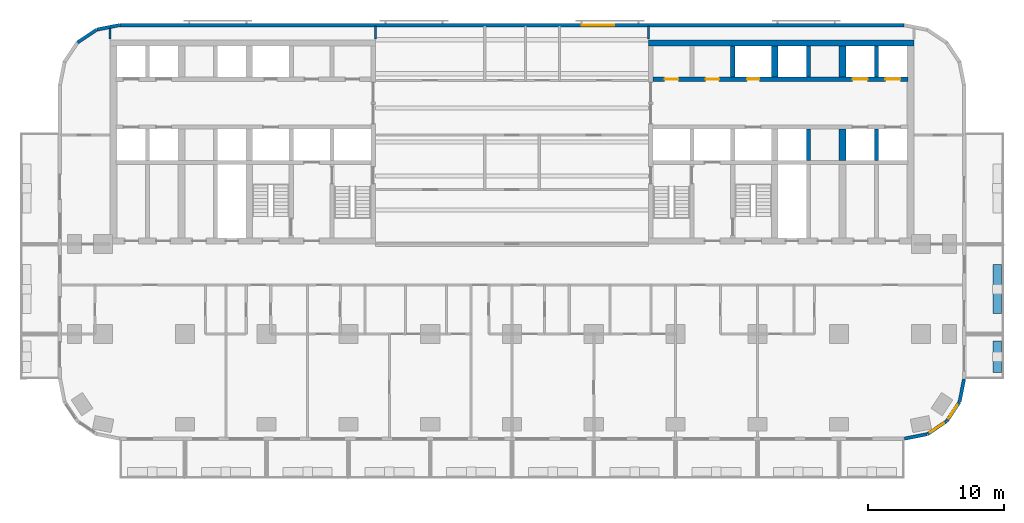
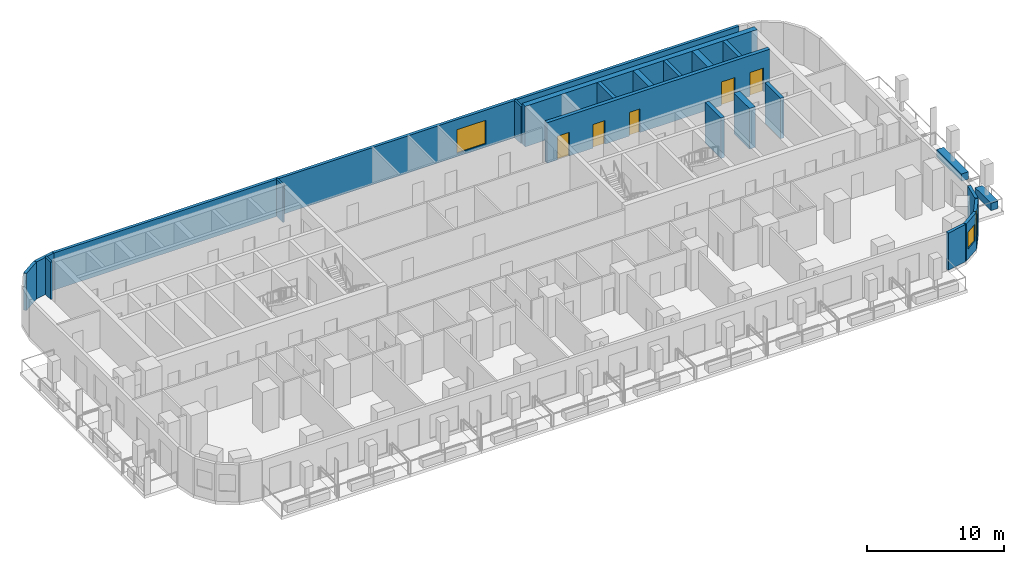
# One storey, part 8 of 14: 22 walls, 5 doors, 3 windows, 8 openings.
"""IFC4 building model written with IfcOpenShell, lengths in metres."""

from ifc_helpers import new_model, si_unit, direction, frame, frame_2d, origin, place, context, subcontext, project, spatial, rectangle, extrude, material, layer, layer_set, type_object, element, fill, save


model = new_model("IFC4")

# Units and contexts
model_context = context("Model", 3, precision=1e-05, world=origin(), true_north=direction((0.0, 1.0)))
body_context = subcontext(model_context, "Body", "Model", "MODEL_VIEW")
ifc_project = project(units=[si_unit("LENGTHUNIT", "METRE"), si_unit("AREAUNIT", "SQUARE_METRE"), si_unit("VOLUMEUNIT", "CUBIC_METRE"), si_unit("PLANEANGLEUNIT", "RADIAN"), si_unit("MASSUNIT", "GRAM", prefix="KILO")], contexts=[model_context])

# Site, building, storey
site_placement = place(None, origin())
site = spatial("IfcSite", under=ifc_project, at=site_placement, CompositionType="ELEMENT")
building_placement = place(site_placement, origin())
building = spatial("IfcBuilding", under=site, at=building_placement, Name="Torana Hotel and Residences", CompositionType="ELEMENT")
storey_placement = place(building_placement, frame((0.0, 0.0, 103.199951171875)))
storey = spatial("IfcBuildingStorey", under=building, at=storey_placement, Name="L26", CompositionType="ELEMENT", Elevation=103.199951171875)

# Wall, openings, doors
ifc_material_1 = material(Name="Concrete C80/95", Category="concrete")
ifc_layer_1 = layer(ifc_material_1, 0.300048828125)
ifc_layer_set_1 = layer_set([ifc_layer_1], Name="CORE WALL 300 C80/95")
wall_type_1 = type_object("IfcWallType", Name="CORE WALL 300 C80/95", PredefinedType="SHEAR", material=ifc_layer_set_1)
wall_1_placement = place(storey_placement, frame((10.35009765625, -2.89990234375, 0.0), z_axis=(0.0, 0.0, 1.0), x_axis=(1.0, 0.0, 0.0)))
wall_1 = element("IfcWall", 1, at=wall_1_placement, inside=storey, type_object=wall_type_1, Name="Core wall E row-N", PredefinedType="SHEAR", context=body_context, shape_type="SweptSolid", body=[
    extrude(rectangle(XDim=18.699951171875, YDim=0.300048828125, at=frame_2d((9.35009765625, 0.0))), origin(), (0.0, 0.0, 1.0), 3.60009765625),
])
opening_1_placement = place(wall_1_placement, frame((14.64990234375, 0.0, 0.0)))
opening_1 = element("IfcOpeningElement", 2, at=opening_1_placement, cuts=wall_1, Name="Opening LD", PredefinedType="OPENING", context=body_context, shape_type="SweptSolid", body=[
    extrude(rectangle(XDim=1.10009765625, YDim=2.10009765625, at=frame_2d((0.550048828125, 1.050048828125))), frame((0.0, 0.159912109375, 0.0), z_axis=(0.0, -1.0, 0.0), x_axis=(1.0, 0.0, 0.0)), (0.0, 0.0, 1.0), 0.320068359375),
])
opening_2_placement = place(wall_1_placement, frame((17.050048828125, 0.0, 0.0)))
opening_2 = element("IfcOpeningElement", 3, at=opening_2_placement, cuts=wall_1, Name="Opening LD", PredefinedType="OPENING", context=body_context, shape_type="SweptSolid", body=[
    extrude(rectangle(XDim=1.10009765625, YDim=2.10009765625, at=frame_2d((0.550048828125, 1.050048828125))), frame((0.0, 0.159912109375, 0.0), z_axis=(0.0, -1.0, 0.0), x_axis=(1.0, 0.0, 0.0)), (0.0, 0.0, 1.0), 0.320068359375),
])
opening_3_placement = place(wall_1_placement, frame((6.89990234375, 0.0, 0.0)))
opening_3 = element("IfcOpeningElement", 4, at=opening_3_placement, cuts=wall_1, Name="Opening L26-24", PredefinedType="OPENING", context=body_context, shape_type="SweptSolid", body=[
    extrude(rectangle(XDim=0.89990234375, YDim=2.10009765625, at=frame_2d((0.449951171875, 1.050048828125))), frame((0.0, 0.159912109375, 0.0), z_axis=(0.0, -1.0, 0.0), x_axis=(1.0, 0.0, 0.0)), (0.0, 0.0, 1.0), 0.320068359375),
])
opening_4_placement = place(wall_1_placement, frame((0.85009765625, 0.0, 0.0)))
opening_4 = element("IfcOpeningElement", 5, at=opening_4_placement, cuts=wall_1, Name="Opening L26-25", PredefinedType="OPENING", context=body_context, shape_type="SweptSolid", body=[
    extrude(rectangle(XDim=1.0, YDim=2.10009765625, at=frame_2d((0.5, 1.050048828125))), frame((0.0, 0.159912109375, 0.0), z_axis=(0.0, -1.0, 0.0), x_axis=(1.0, 0.0, 0.0)), (0.0, 0.0, 1.0), 0.320068359375),
])
opening_5_placement = place(wall_1_placement, frame((3.85009765625, 0.0, 0.0)))
opening_5 = element("IfcOpeningElement", 6, at=opening_5_placement, cuts=wall_1, Name="Opening L26-26", PredefinedType="OPENING", context=body_context, shape_type="SweptSolid", body=[
    extrude(rectangle(XDim=1.0, YDim=2.10009765625, at=frame_2d((0.5, 1.050048828125))), frame((0.0, 0.159912109375, 0.0), z_axis=(0.0, -1.0, 0.0), x_axis=(1.0, 0.0, 0.0)), (0.0, 0.0, 1.0), 0.320068359375),
])
ifc_material_2 = material(Name="Steel S235", Category="steel")
door_type_1 = type_object("IfcDoorType", Name="CORE ROOM FIRE DOOR D14 1000x2100", OperationType="SINGLE_SWING_LEFT", PredefinedType="DOOR", material=ifc_material_2)
door_1_placement = place(opening_4_placement, origin())
door_1 = element("IfcDoor", 7, at=door_1_placement, inside=storey, type_object=door_type_1, Name="N0 door L26", OperationType="SINGLE_SWING_RIGHT", OverallHeight=2.10009765625, OverallWidth=1.0, PredefinedType="DOOR", context=body_context, shape_type="SweptSolid", body=[
    extrude(rectangle(XDim=1.0, YDim=2.10009765625, at=frame_2d((0.5, 1.050048828125))), frame((0.0, 0.02490234375, 0.0), z_axis=(0.0, -1.0, 0.0), x_axis=(1.0, 0.0, 0.0)), (0.0, 0.0, 1.0), 0.050048828125),
])
fill(opening_4, door_1)
door_2_placement = place(opening_5_placement, origin())
door_2 = element("IfcDoor", 8, at=door_2_placement, inside=storey, type_object=door_type_1, Name="N1 door L26", OperationType="SINGLE_SWING_RIGHT", OverallHeight=2.10009765625, OverallWidth=1.0, PredefinedType="DOOR", context=body_context, shape_type="SweptSolid", body=[
    extrude(rectangle(XDim=1.0, YDim=2.10009765625, at=frame_2d((0.5, 1.050048828125))), frame((0.0, 0.02490234375, 0.0), z_axis=(0.0, -1.0, 0.0), x_axis=(1.0, 0.0, 0.0)), (0.0, 0.0, 1.0), 0.050048828125),
])
fill(opening_5, door_2)
ifc_material_3 = material(Name="Stainless steel 316", Category="steel")
door_type_2 = type_object("IfcDoorType", Name="LIFT LANDING DOOR LD 1100x2100", OperationType="DOUBLE_DOOR_SLIDING", PredefinedType="USERDEFINED", material=ifc_material_3)
door_3_placement = place(opening_1_placement, origin())
door_3 = element("IfcDoor", 9, at=door_3_placement, inside=storey, type_object=door_type_2, Name="Lift landing door L5 L26", ObjectType="LIFT LANDING DOOR", OperationType="DOUBLE_DOOR_SLIDING", OverallHeight=2.10009765625, OverallWidth=1.10009765625, PredefinedType="USERDEFINED", context=body_context, shape_type="SweptSolid", body=[
    extrude(rectangle(XDim=1.10009765625, YDim=2.10009765625, at=frame_2d((0.550048828125, 1.050048828125))), frame((0.0, 0.02490234375, 0.0), z_axis=(0.0, -1.0, 0.0), x_axis=(1.0, 0.0, 0.0)), (0.0, 0.0, 1.0), 0.050048828125),
])
fill(opening_1, door_3)
door_4_placement = place(opening_2_placement, origin())
door_4 = element("IfcDoor", 10, at=door_4_placement, inside=storey, type_object=door_type_2, Name="Lift landing door L6 L26", ObjectType="LIFT LANDING DOOR", OperationType="DOUBLE_DOOR_SLIDING", OverallHeight=2.10009765625, OverallWidth=1.10009765625, PredefinedType="USERDEFINED", context=body_context, shape_type="SweptSolid", body=[
    extrude(rectangle(XDim=1.10009765625, YDim=2.10009765625, at=frame_2d((0.550048828125, 1.050048828125))), frame((0.0, 0.02490234375, 0.0), z_axis=(0.0, -1.0, 0.0), x_axis=(1.0, 0.0, 0.0)), (0.0, 0.0, 1.0), 0.050048828125),
])
fill(opening_2, door_4)
ifc_material_4 = material(Name="Steel S235", Category="steel")
door_type_3 = type_object("IfcDoorType", Name="RISER ACCESS DOOR D5 900x2100", OperationType="SINGLE_SWING_LEFT", PredefinedType="DOOR", material=ifc_material_4)
door_5_placement = place(opening_3_placement, origin())
door_5 = element("IfcDoor", 11, at=door_5_placement, inside=storey, type_object=door_type_3, Name="N2 door L26", OperationType="SINGLE_SWING_RIGHT", OverallHeight=2.10009765625, OverallWidth=0.89990234375, PredefinedType="DOOR", context=body_context, shape_type="SweptSolid", body=[
    extrude(rectangle(XDim=0.89990234375, YDim=2.10009765625, at=frame_2d((0.449951171875, 1.050048828125))), frame((0.0, 0.02490234375, 0.0), z_axis=(0.0, -1.0, 0.0), x_axis=(1.0, 0.0, 0.0)), (0.0, 0.0, 1.0), 0.050048828125),
])
fill(opening_3, door_5)

# Walls
for number, where, z_axis, x_axis, name in (
    (12, (16.199951171875, -2.75, 0.0), (0.0, 0.0, 1.0), (0.0, 1.0, 0.0), "Core wall E x6.05-N"),
    (13, (21.75, -2.75, 0.0), (0.0, 0.0, 1.0), (0.0, 1.0, 0.0), "Core wall E mm-N"),
    (14, (21.75, -8.85009765625, 0.0), (0.0, 0.0, 1.0), (0.0, 1.0, 0.0), "Core wall E mm-S"),
    (15, (26.75, -2.75, 0.0), (0.0, 0.0, 1.0), (0.0, 1.0, 0.0), "Core wall E ll-N"),
    (16, (26.75, -8.85009765625, 0.0), (0.0, 0.0, 1.0), (0.0, 1.0, 0.0), "Core wall E ll-S"),
):
    element("IfcWall", number, at=place(storey_placement, frame(where, z_axis=z_axis, x_axis=x_axis)), inside=storey, type_object=wall_type_1, Name=name, PredefinedType="SHEAR", context=body_context, shape_type="SweptSolid", body=[
        extrude(rectangle(XDim=2.300048828125, YDim=0.300048828125, at=frame_2d((1.14990234375, 0.0))), origin(), (0.0, 0.0, 1.0), 3.60009765625),
    ])
ifc_material_5 = material(Name="Concrete C80/95", Category="concrete")
ifc_layer_2 = layer(ifc_material_5, 0.449951171875)
ifc_layer_set_2 = layer_set([ifc_layer_2], Name="CORE WALL 450 C80/95")
wall_type_2 = type_object("IfcWallType", Name="CORE WALL 450 C80/95", PredefinedType="SHEAR", material=ifc_layer_set_2)
wall_2_placement = place(storey_placement, frame((10.0, -0.22509765625, 0.0), z_axis=(0.0, 0.0, 1.0), x_axis=(1.0, 0.0, 0.0)))
element("IfcWall", 17, at=wall_2_placement, inside=storey, type_object=wall_type_2, Name="Core wall E rear", PredefinedType="SHEAR", context=body_context, shape_type="SweptSolid", body=[
    extrude(rectangle(XDim=19.5, YDim=0.449951171875, at=frame_2d((9.75, 0.0))), origin(), (0.0, 0.0, 1.0), 3.60009765625),
])
wall_3_placement = place(storey_placement, frame((19.27490234375, -2.75, 0.0), z_axis=(0.0, 0.0, 1.0), x_axis=(0.0, 1.0, 0.0)))
element("IfcWall", 18, at=wall_3_placement, inside=storey, type_object=wall_type_2, Name="Core wall E hm-N", PredefinedType="SHEAR", context=body_context, shape_type="SweptSolid", body=[
    extrude(rectangle(XDim=2.300048828125, YDim=0.449951171875, at=frame_2d((1.14990234375, 0.0))), origin(), (0.0, 0.0, 1.0), 3.60009765625),
])
ifc_material_6 = material(Name="Concrete C80/95", Category="concrete")
ifc_layer_3 = layer(ifc_material_6, 0.5)
ifc_layer_set_3 = layer_set([ifc_layer_3], Name="CORE WALL 500 C80/95")
wall_type_3 = type_object("IfcWallType", Name="CORE WALL 500 C80/95", PredefinedType="SHEAR", material=ifc_layer_set_3)
for number, where, z_axis, x_axis, name in (
    (19, (24.25, -2.75, 0.0), (0.0, 0.0, 1.0), (0.0, 1.0, 0.0), "Core wall E ml-N"),
    (20, (24.25, -8.85009765625, 0.0), (0.0, 0.0, 1.0), (0.0, 1.0, 0.0), "Core wall E ml-S"),
):
    element("IfcWall", number, at=place(storey_placement, frame(where, z_axis=z_axis, x_axis=x_axis)), inside=storey, type_object=wall_type_3, Name=name, PredefinedType="SHEAR", context=body_context, shape_type="SweptSolid", body=[
        extrude(rectangle(XDim=2.300048828125, YDim=0.5, at=frame_2d((1.14990234375, 0.0))), origin(), (0.0, 0.0, 1.0), 3.60009765625),
    ])
ifc_material_7 = material(Name="Black aluminium composite panel", Category="aluminium")
ifc_layer_4 = layer(ifc_material_7, 0.00390625, Name="Cladding", Category="cladding")
ifc_material_8 = material(Name="Ventilated air cavity")
ifc_layer_5 = layer(ifc_material_8, 0.0400390625, Name="Ventilated cavity", Category="cavity")
ifc_material_9 = material(Name="Mineral wool insulation")
ifc_layer_6 = layer(ifc_material_9, 0.090087890625, Name="Insulation", Category="insulation")
ifc_material_10 = material(Name="Steel S280GD", Category="steel")
ifc_layer_7 = layer(ifc_material_10, 0.092041015625, Name="Steel stud frame", Category="structure")
ifc_material_11 = material(Name="Fire rated plasterboard")
ifc_layer_8 = layer(ifc_material_11, 0.011962890625, Name="Inner board", Category="finish")
ifc_layer_9 = layer(ifc_material_11, 0.011962890625, Name="Second board", Category="finish")
ifc_layer_set_4 = layer_set([ifc_layer_4, ifc_layer_5, ifc_layer_6, ifc_layer_7, ifc_layer_8, ifc_layer_9], Name="EW1 EXTERNAL WALL BLACK METAL CLAD 250")
wall_type_4 = type_object("IfcWallType", Name="EW1 EXTERNAL WALL BLACK METAL CLAD 250", PredefinedType="SOLIDWALL", material=ifc_layer_set_4)
wall_4_placement = place(storey_placement, frame((-28.7998046875, 1.072509765625, 0.0), z_axis=(0.0, 0.0, 1.0), x_axis=(-0.980803419081, -0.194999110559, 0.0)))
element("IfcWall", 21, at=wall_4_placement, inside=storey, type_object=wall_type_4, Name="External wall L26 e0.5", PredefinedType="SOLIDWALL", context=body_context, shape_type="SweptSolid", body=[
    extrude(rectangle(XDim=1.681396484375, YDim=0.25, at=frame_2d((0.8408203125, 0.0))), origin(), (0.0, 0.0, 1.0), 3.300048828125),
])
wall_5_placement = place(storey_placement, frame((-30.493896484375, 0.725830078125, 0.0), z_axis=(0.0, 0.0, 1.0), x_axis=(-0.831482937015, -0.55555029066, 0.0)))
element("IfcWall", 22, at=wall_5_placement, inside=storey, type_object=wall_type_4, Name="External wall L26 e0.6", PredefinedType="SOLIDWALL", context=body_context, shape_type="SweptSolid", body=[
    extrude(rectangle(XDim=1.65625, YDim=0.25, at=frame_2d((0.828125, 0.0))), origin(), (0.0, 0.0, 1.0), 3.300048828125),
])
wall_6_placement = place(storey_placement, frame((28.7998046875, -29.272705078125, 0.0), z_axis=(0.0, 0.0, 1.0), x_axis=(0.980775640221, 0.19513878023, 0.0)))
element("IfcWall", 23, at=wall_6_placement, inside=storey, type_object=wall_type_4, Name="External wall L26 e0.15", PredefinedType="SOLIDWALL", context=body_context, shape_type="SweptSolid", body=[
    extrude(rectangle(XDim=1.681396484375, YDim=0.25, at=frame_2d((0.8408203125, 0.0))), origin(), (0.0, 0.0, 1.0), 3.300048828125),
])

# Wall, opening, window
wall_7_placement = place(storey_placement, frame((30.493896484375, -28.92578125, 0.0), z_axis=(0.0, 0.0, 1.0), x_axis=(0.831482937015, 0.55555029066, 0.0)))
wall_7 = element("IfcWall", 24, at=wall_7_placement, inside=storey, type_object=wall_type_4, Name="External wall L26 e0.16", PredefinedType="SOLIDWALL", context=body_context, shape_type="SweptSolid", body=[
    extrude(rectangle(XDim=1.65625, YDim=0.25, at=frame_2d((0.828125, 0.0))), origin(), (0.0, 0.0, 1.0), 3.300048828125),
])
opening_6_placement = place(wall_7_placement, frame((0.228271484375, 0.0, 0.89990234375)))
opening_6 = element("IfcOpeningElement", 25, at=opening_6_placement, cuts=wall_7, Name="Opening W5", PredefinedType="OPENING", context=body_context, shape_type="SweptSolid", body=[
    extrude(rectangle(XDim=1.199951171875, YDim=1.5, at=frame_2d((0.60009765625, 0.75))), frame((0.0, 0.135009765625, 0.0), z_axis=(0.0, -1.0, 0.0), x_axis=(1.0, 0.0, 0.0)), (0.0, 0.0, 1.0), 0.27001953125),
])
ifc_material_12 = material(Name="Dark glass in black aluminium frame", Category="aluminium")
window_type_1 = type_object("IfcWindowType", Name="W5 CORNER FACET WINDOW 1200x1500", PartitioningType="SINGLE_PANEL", PredefinedType="WINDOW", material=ifc_material_12)
window_1_placement = place(opening_6_placement, origin())
window_1 = element("IfcWindow", 26, at=window_1_placement, inside=storey, type_object=window_type_1, Name="Window L26 e0.16", OverallHeight=1.5, OverallWidth=1.199951171875, PartitioningType="SINGLE_PANEL", PredefinedType="WINDOW", context=body_context, shape_type="SweptSolid", body=[
    extrude(rectangle(XDim=1.199951171875, YDim=1.5, at=frame_2d((0.60009765625, 0.75))), frame((0.0, 0.030029296875, 0.0), z_axis=(0.0, -1.0, 0.0), x_axis=(1.0, 0.0, 0.0)), (0.0, 0.0, 1.0), 0.06005859375),
])
fill(opening_6, window_1)

wall_8_placement = place(storey_placement, frame((31.90576171875, -27.97119140625, 0.0), z_axis=(0.0, 0.0, 1.0), x_axis=(0.55555029066, 0.831482937015, 0.0)))
wall_8 = element("IfcWall", 27, at=wall_8_placement, inside=storey, type_object=wall_type_4, Name="External wall L26 e0.17", PredefinedType="SOLIDWALL", context=body_context, shape_type="SweptSolid", body=[
    extrude(rectangle(XDim=1.65625, YDim=0.25, at=frame_2d((0.828125, 0.0))), origin(), (0.0, 0.0, 1.0), 3.300048828125),
])
opening_7_placement = place(wall_8_placement, frame((0.228271484375, 0.0, 0.89990234375)))
opening_7 = element("IfcOpeningElement", 28, at=opening_7_placement, cuts=wall_8, Name="Opening W5", PredefinedType="OPENING", context=body_context, shape_type="SweptSolid", body=[
    extrude(rectangle(XDim=1.199951171875, YDim=1.5, at=frame_2d((0.60009765625, 0.75))), frame((0.0, 0.135009765625, 0.0), z_axis=(0.0, -1.0, 0.0), x_axis=(1.0, 0.0, 0.0)), (0.0, 0.0, 1.0), 0.27001953125),
])
window_2_placement = place(opening_7_placement, origin())
window_2 = element("IfcWindow", 29, at=window_2_placement, inside=storey, type_object=window_type_1, Name="Window L26 e0.17", OverallHeight=1.5, OverallWidth=1.199951171875, PartitioningType="SINGLE_PANEL", PredefinedType="WINDOW", context=body_context, shape_type="SweptSolid", body=[
    extrude(rectangle(XDim=1.199951171875, YDim=1.5, at=frame_2d((0.60009765625, 0.75))), frame((0.0, 0.030029296875, 0.0), z_axis=(0.0, -1.0, 0.0), x_axis=(1.0, 0.0, 0.0)), (0.0, 0.0, 1.0), 0.06005859375),
])
fill(opening_7, window_2)

# Wall
wall_9_placement = place(storey_placement, frame((32.844482421875, -26.548828125, 0.0), z_axis=(0.0, 0.0, 1.0), x_axis=(0.195166572128, 0.980770110232, 0.0)))
element("IfcWall", 30, at=wall_9_placement, inside=storey, type_object=wall_type_4, Name="External wall L26 e0.18", PredefinedType="SOLIDWALL", context=body_context, shape_type="SweptSolid", body=[
    extrude(rectangle(XDim=1.68115234375, YDim=0.25, at=frame_2d((0.840576171875, 0.0))), origin(), (0.0, 0.0, 1.0), 3.300048828125),
])

# Wall, opening, window
ifc_material_13 = material(Name="Concrete C40/50 precast", Category="concrete")
ifc_layer_10 = layer(ifc_material_13, 0.10009765625, Name="Perforated block", Category="cladding")
ifc_material_14 = material(Name="Air cavity")
ifc_layer_11 = layer(ifc_material_14, 0.030029296875, Name="Cavity", Category="cavity")
ifc_material_15 = material(Name="Concrete C40/50", Category="concrete")
ifc_layer_12 = layer(ifc_material_15, 0.10009765625, Name="Wall", Category="structure")
ifc_material_16 = material(Name="Plaster and paint")
ifc_layer_13 = layer(ifc_material_16, 0.02001953125, Name="Inner finish", Category="finish")
ifc_layer_set_5 = layer_set([ifc_layer_10, ifc_layer_11, ifc_layer_12, ifc_layer_13], Name="EW2 PERFORATED BLOCK SCREEN WALL 250")
wall_type_5 = type_object("IfcWallType", Name="EW2 PERFORATED BLOCK SCREEN WALL 250", PredefinedType="SOLIDWALL", material=ifc_layer_set_5)
wall_10_placement = place(storey_placement, frame((28.775390625, 1.074951171875, 0.0), z_axis=(0.0, 0.0, 1.0), x_axis=(-1.0, 0.0, 0.0)))
wall_10 = element("IfcWall", 31, at=wall_10_placement, inside=storey, type_object=wall_type_5, Name="External wall L26 e0.4", PredefinedType="SOLIDWALL", context=body_context, shape_type="SweptSolid", body=[
    extrude(rectangle(XDim=57.55078125, YDim=0.25, at=frame_2d((28.775390625, 0.0))), origin(), (0.0, 0.0, 1.0), 3.300048828125),
])
opening_8_placement = place(wall_10_placement, frame((21.275390625, 0.0, 0.300048828125)))
opening_8 = element("IfcOpeningElement", 32, at=opening_8_placement, cuts=wall_10, Name="Opening W1", PredefinedType="OPENING", context=body_context, shape_type="SweptSolid", body=[
    extrude(rectangle(XDim=2.39990234375, YDim=2.10009765625, at=frame_2d((1.199951171875, 1.050048828125))), frame((0.0, 0.135009765625, 0.0), z_axis=(0.0, -1.0, 0.0), x_axis=(1.0, 0.0, 0.0)), (0.0, 0.0, 1.0), 0.27001953125),
])
ifc_material_17 = material(Name="Dark glass in black aluminium frame", Category="aluminium")
window_type_2 = type_object("IfcWindowType", Name="W1 HOTEL ROOM WINDOW 2400x2100", PartitioningType="SINGLE_PANEL", PredefinedType="WINDOW", material=ifc_material_17)
window_3_placement = place(opening_8_placement, origin())
window_3 = element("IfcWindow", 33, at=window_3_placement, inside=storey, type_object=window_type_2, Name="Window L26", OverallHeight=2.10009765625, OverallWidth=2.39990234375, PartitioningType="SINGLE_PANEL", PredefinedType="WINDOW", context=body_context, shape_type="SweptSolid", body=[
    extrude(rectangle(XDim=2.39990234375, YDim=2.10009765625, at=frame_2d((1.199951171875, 1.050048828125))), frame((0.0, 0.030029296875, 0.0), z_axis=(0.0, -1.0, 0.0), x_axis=(1.0, 0.0, 0.0)), (0.0, 0.0, 1.0), 0.06005859375),
])
fill(opening_8, window_3)

# Walls
ifc_material_18 = material(Name="Gypsum plasterboard")
ifc_layer_14 = layer(ifc_material_18, 0.012451171875, Name="Plasterboard", Category="finish")
ifc_layer_15 = layer(ifc_material_18, 0.012451171875, Name="Plasterboard", Category="finish")
ifc_layer_16 = layer(ifc_material_10, 0.10009765625, Name="Steel studs with mineral wool", Category="insulation")
ifc_layer_17 = layer(ifc_material_18, 0.012451171875, Name="Plasterboard", Category="finish")
ifc_layer_18 = layer(ifc_material_18, 0.012451171875, Name="Plasterboard", Category="finish")
ifc_layer_set_6 = layer_set([ifc_layer_14, ifc_layer_15, ifc_layer_16, ifc_layer_17, ifc_layer_18], Name="PARTITION 150 PLASTERBOARD")
wall_type_6 = type_object("IfcWallType", Name="PARTITION 150 PLASTERBOARD", PredefinedType="PARTITIONING", material=ifc_layer_set_6)
for number, where, z_axis, x_axis, name in (
    (34, (10.0, 0.050048828125, 0.0), (0.0, 0.0, 1.0), (0.0, 1.0, 0.0), "Partition L26"),
    (35, (-10.0, 0.050048828125, 0.0), (0.0, 0.0, 1.0), (0.0, 1.0, 0.0), "Partition L26"),
):
    element("IfcWall", number, at=place(storey_placement, frame(where, z_axis=z_axis, x_axis=x_axis)), inside=storey, type_object=wall_type_6, Name=name, PredefinedType="PARTITIONING", context=body_context, shape_type="SweptSolid", body=[
        extrude(rectangle(XDim=0.969970703125, YDim=0.14990234375, at=frame_2d((0.48486328125, 0.0))), origin(), (0.0, 0.0, 1.0), 3.320068359375),
    ])
wall_11_placement = place(storey_placement, frame((-29.5, 0.050048828125, 0.0), z_axis=(0.0, 0.0, 1.0), x_axis=(0.0, 1.0, 0.0)))
element("IfcWall", 36, at=wall_11_placement, inside=storey, type_object=wall_type_6, Name="Partition L26", PredefinedType="PARTITIONING", context=body_context, shape_type="SweptSolid", body=[
    extrude(rectangle(XDim=0.8271484375, YDim=0.14990234375, at=frame_2d((0.41357421875, 0.0))), origin(), (0.0, 0.0, 1.0), 3.320068359375),
])
ifc_layer_19 = layer(ifc_material_13, 0.10009765625, Name="Planter shell", Category="structure")
ifc_material_19 = material(Name="Root resistant membrane")
ifc_layer_20 = layer(ifc_material_19, 0.00390625, Name="Waterproofing membrane", Category="membrane")
ifc_material_20 = material(Name="Drainage board with filter fleece")
ifc_layer_21 = layer(ifc_material_20, 0.02001953125, Name="Drainage board", Category="drainage")
ifc_material_21 = material(Name="Growing medium")
ifc_layer_22 = layer(ifc_material_21, 0.47607421875, Name="Planting substrate", Category="soil")
ifc_layer_set_7 = layer_set([ifc_layer_19, ifc_layer_20, ifc_layer_21, ifc_layer_22], Name="PL1 BALCONY PLANTER 600")
wall_type_7 = type_object("IfcWallType", Name="PL1 BALCONY PLANTER 600", PredefinedType="USERDEFINED", material=ifc_layer_set_7)
wall_12_placement = place(storey_placement, frame((35.60009765625, -22.10009765625, 0.0), z_axis=(0.0, 0.0, 1.0), x_axis=(0.0, -1.0, 0.0)))
element("IfcWall", 37, at=wall_12_placement, inside=storey, type_object=wall_type_7, Name="Planter 14", ObjectType="PLANTER", PredefinedType="USERDEFINED", context=body_context, shape_type="SweptSolid", body=[
    extrude(rectangle(XDim=2.2998046875, YDim=0.60009765625, at=frame_2d((1.14990234375, 0.0))), origin(), (0.0, 0.0, 1.0), 0.650146484375),
])
wall_13_placement = place(storey_placement, frame((35.60009765625, -16.5, 0.0), z_axis=(0.0, 0.0, 1.0), x_axis=(0.0, -1.0, 0.0)))
element("IfcWall", 38, at=wall_13_placement, inside=storey, type_object=wall_type_7, Name="Planter 15", ObjectType="PLANTER", PredefinedType="USERDEFINED", context=body_context, shape_type="SweptSolid", body=[
    extrude(rectangle(XDim=3.60009765625, YDim=0.60009765625, at=frame_2d((1.800048828125, 0.0))), origin(), (0.0, 0.0, 1.0), 0.650146484375),
])

save(model, "model.ifc")
